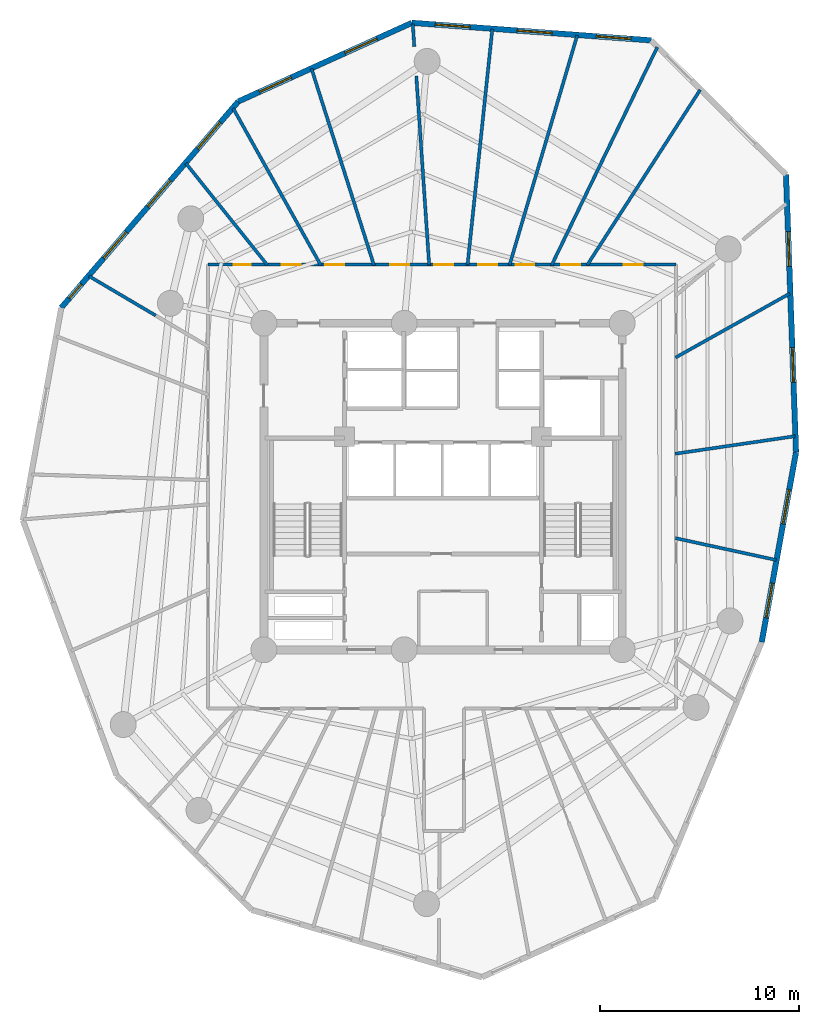
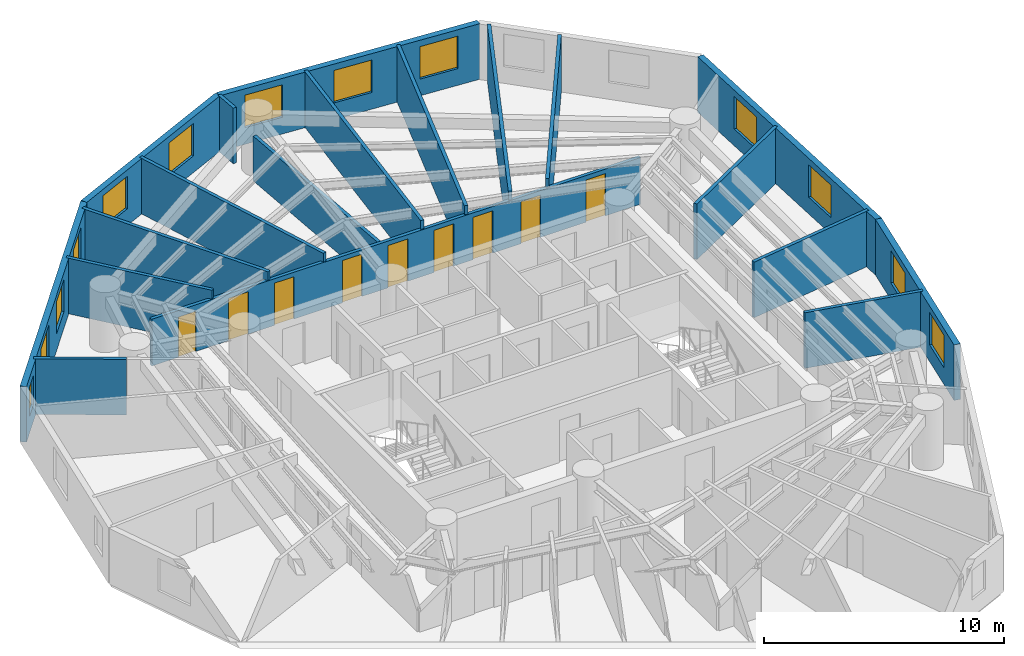
# One storey, part 6 of 8: 19 walls, 13 windows, 9 doors, 22 openings.
"""IFC4 building model written with IfcOpenShell, lengths in metres."""

from ifc_helpers import new_model, si_unit, direction, frame, frame_2d, origin, origin_with_axes, place, context, subcontext, project, spatial, rectangle, extrude, source, transform, mapped, material, layer, layer_set, type_object, element, fill, save


model = new_model("IFC4")

# Units and contexts
model_context = context("Model", 3, precision=1e-05, world=origin(), true_north=direction((0.0, 1.0)))
body_context = subcontext(model_context, "Body", "Model", "MODEL_VIEW")
ifc_project = project(units=[si_unit("LENGTHUNIT", "METRE"), si_unit("AREAUNIT", "SQUARE_METRE"), si_unit("VOLUMEUNIT", "CUBIC_METRE"), si_unit("PLANEANGLEUNIT", "RADIAN"), si_unit("MASSUNIT", "GRAM", prefix="KILO")], contexts=[model_context])

# Site, building, storey
site_placement = place(None, origin())
site = spatial("IfcSite", under=ifc_project, at=site_placement, CompositionType="ELEMENT")
building_placement = place(site_placement, origin())
building = spatial("IfcBuilding", under=site, at=building_placement, Name="Karkom Vertical University and Central Library", CompositionType="ELEMENT")
storey_placement = place(building_placement, frame((0.0, 0.0, 162.64990234375)))
storey = spatial("IfcBuildingStorey", under=building, at=storey_placement, Name="L46", CompositionType="ELEMENT", Elevation=162.64990234375)

# Wall, openings, windows
ifc_material_1 = material(Name="Brick-faced precast concrete C45/55", Category="masonry")
ifc_layer_1 = layer(ifc_material_1, 0.280029296875)
ifc_layer_set_1 = layer_set([ifc_layer_1], Name="Brick-faced precast concrete C45/55")
wall_type_1 = type_object("IfcWallType", Name="ENV-WL-BRK-280", PredefinedType="SOLIDWALL", material=ifc_layer_set_1)
wall_1_placement = place(storey_placement, frame((44.506591796875, 18.685302734375, 0.0), z_axis=(0.0, 0.0, 1.0), x_axis=(0.177789963773, 0.984068457365, 0.0)))
wall_1 = element("IfcWall", 1, at=wall_1_placement, inside=storey, type_object=wall_type_1, Name="Level 46 Brick-Faced Precast Facade Wall 07", PredefinedType="SOLIDWALL", context=body_context, shape_type="SweptSolid", body=[
    extrude(rectangle(XDim=9.689208984375, YDim=0.280029296875, at=frame_2d((4.8447265625, 0.0))), origin(), (0.0, 0.0, 1.0), 2.8251953125),
])
opening_1_placement = place(wall_1_placement, frame((1.248779296875, 0.0, 0.85009765625)))
opening_1 = element("IfcOpeningElement", 2, at=opening_1_placement, cuts=wall_1, Name="Opening WN-08", PredefinedType="OPENING", context=body_context, shape_type="SweptSolid", body=[
    extrude(rectangle(XDim=1.75, YDim=1.64990234375, at=frame_2d((0.875, 0.824951171875))), frame((0.0, 0.14990234375, 0.0), z_axis=(0.0, -1.0, 0.0), x_axis=(1.0, 0.0, 0.0)), (0.0, 0.0, 1.0), 0.300048828125),
])
opening_2_placement = place(wall_1_placement, frame((6.033447265625, 0.0, 0.85009765625)))
opening_2 = element("IfcOpeningElement", 3, at=opening_2_placement, cuts=wall_1, Name="Opening WN-08", PredefinedType="OPENING", context=body_context, shape_type="SweptSolid", body=[
    extrude(rectangle(XDim=1.75, YDim=1.64990234375, at=frame_2d((0.875, 0.824951171875))), frame((0.0, 0.14990234375, 0.0), z_axis=(0.0, -1.0, 0.0), x_axis=(1.0, 0.0, 0.0)), (0.0, 0.0, 1.0), 0.300048828125),
])
ifc_material_2 = material(Name="Aluminium thermal-break frame with solar-control IGU", Category="aluminium")
window_type_1 = type_object("IfcWindowType", Name="ENV-WIN-WN-08", PartitioningType="SINGLE_PANEL", PredefinedType="WINDOW", material=ifc_material_2)
shared_shape_1 = source(origin_with_axes(), body_context, "Body", "SweptSolid", [
    extrude(rectangle(XDim=1.75, YDim=1.64990234375, at=frame_2d((0.875, 0.824951171875))), frame((0.0, 0.030029296875, 0.0), z_axis=(0.0, -1.0, 0.0), x_axis=(1.0, 0.0, 0.0)), (0.0, 0.0, 1.0), 0.06005859375),
])
window_1_placement = place(opening_1_placement, origin())
window_1 = element("IfcWindow", 4, at=window_1_placement, inside=storey, type_object=window_type_1, Name="Level 46 Punched Window 7.1", OverallHeight=1.64990234375, OverallWidth=1.75, PartitioningType="SINGLE_PANEL", PredefinedType="WINDOW", context=body_context, shape_type="MappedRepresentation", body=[
    mapped(shared_shape_1, transform((0.0, 0.0, 0.0), scale=1.0)),
])
fill(opening_1, window_1)
window_2_placement = place(opening_2_placement, origin())
window_2 = element("IfcWindow", 5, at=window_2_placement, inside=storey, type_object=window_type_1, Name="Level 46 Punched Window 7.2", OverallHeight=1.64990234375, OverallWidth=1.75, PartitioningType="SINGLE_PANEL", PredefinedType="WINDOW", context=body_context, shape_type="MappedRepresentation", body=[
    mapped(shared_shape_1, transform((0.0, 0.0, 0.0), scale=1.0)),
])
fill(opening_2, window_2)

wall_2_placement = place(storey_placement, frame((46.229248046875, 28.22021484375, 0.0), z_axis=(0.0, 0.0, 1.0), x_axis=(-0.036027137179, 0.999350811971, 0.0)))
wall_2 = element("IfcWall", 6, at=wall_2_placement, inside=storey, type_object=wall_type_1, Name="Level 46 Brick-Faced Precast Facade Wall 08", PredefinedType="SOLIDWALL", context=body_context, shape_type="SweptSolid", body=[
    extrude(rectangle(XDim=13.959716796875, YDim=0.280029296875, at=frame_2d((6.97998046875, 0.0))), origin(), (0.0, 0.0, 1.0), 2.8251953125),
])
opening_3_placement = place(wall_2_placement, frame((3.50732421875, 0.0, 0.85009765625)))
opening_3 = element("IfcOpeningElement", 7, at=opening_3_placement, cuts=wall_2, Name="Opening WN-08", PredefinedType="OPENING", context=body_context, shape_type="SweptSolid", body=[
    extrude(rectangle(XDim=1.75, YDim=1.64990234375, at=frame_2d((0.875, 0.824951171875))), frame((0.0, 0.14990234375, 0.0), z_axis=(0.0, -1.0, 0.0), x_axis=(1.0, 0.0, 0.0)), (0.0, 0.0, 1.0), 0.300048828125),
])
opening_4_placement = place(wall_2_placement, frame((9.3388671875, 0.0, 0.85009765625)))
opening_4 = element("IfcOpeningElement", 8, at=opening_4_placement, cuts=wall_2, Name="Opening WN-08", PredefinedType="OPENING", context=body_context, shape_type="SweptSolid", body=[
    extrude(rectangle(XDim=1.75, YDim=1.64990234375, at=frame_2d((0.875, 0.824951171875))), frame((0.0, 0.14990234375, 0.0), z_axis=(0.0, -1.0, 0.0), x_axis=(1.0, 0.0, 0.0)), (0.0, 0.0, 1.0), 0.300048828125),
])
window_3_placement = place(opening_3_placement, origin())
window_3 = element("IfcWindow", 9, at=window_3_placement, inside=storey, type_object=window_type_1, Name="Level 46 Punched Window 8.1", OverallHeight=1.64990234375, OverallWidth=1.75, PartitioningType="SINGLE_PANEL", PredefinedType="WINDOW", context=body_context, shape_type="MappedRepresentation", body=[
    mapped(shared_shape_1, transform((0.0, 0.0, 0.0), scale=1.0)),
])
fill(opening_3, window_3)
window_4_placement = place(opening_4_placement, origin())
window_4 = element("IfcWindow", 10, at=window_4_placement, inside=storey, type_object=window_type_1, Name="Level 46 Punched Window 8.2", OverallHeight=1.64990234375, OverallWidth=1.75, PartitioningType="SINGLE_PANEL", PredefinedType="WINDOW", context=body_context, shape_type="MappedRepresentation", body=[
    mapped(shared_shape_1, transform((0.0, 0.0, 0.0), scale=1.0)),
])
fill(opening_4, window_4)

wall_3_placement = place(storey_placement, frame((38.955322265625, 48.908203125, 0.0), z_axis=(0.0, 0.0, 1.0), x_axis=(-0.997320223423, 0.07315990672, 0.0)))
wall_3 = element("IfcWall", 11, at=wall_3_placement, inside=storey, type_object=wall_type_1, Name="Level 46 Brick-Faced Precast Facade Wall 10", PredefinedType="SOLIDWALL", context=body_context, shape_type="SweptSolid", body=[
    extrude(rectangle(XDim=12.053466796875, YDim=0.280029296875, at=frame_2d((6.02685546875, 0.0))), origin(), (0.0, 0.0, 1.0), 2.8251953125),
])
opening_5_placement = place(wall_3_placement, frame((1.02197265625, 0.0, 0.85009765625)))
opening_5 = element("IfcOpeningElement", 12, at=opening_5_placement, cuts=wall_3, Name="Opening WN-08", PredefinedType="OPENING", context=body_context, shape_type="SweptSolid", body=[
    extrude(rectangle(XDim=1.75, YDim=1.64990234375, at=frame_2d((0.875, 0.824951171875))), frame((0.0, 0.14990234375, 0.0), z_axis=(0.0, -1.0, 0.0), x_axis=(1.0, 0.0, 0.0)), (0.0, 0.0, 1.0), 0.300048828125),
])
opening_6_placement = place(wall_3_placement, frame((4.993408203125, 0.0, 0.85009765625)))
opening_6 = element("IfcOpeningElement", 13, at=opening_6_placement, cuts=wall_3, Name="Opening WN-08", PredefinedType="OPENING", context=body_context, shape_type="SweptSolid", body=[
    extrude(rectangle(XDim=1.75, YDim=1.64990234375, at=frame_2d((0.875, 0.824951171875))), frame((0.0, 0.14990234375, 0.0), z_axis=(0.0, -1.0, 0.0), x_axis=(1.0, 0.0, 0.0)), (0.0, 0.0, 1.0), 0.300048828125),
])
opening_7_placement = place(wall_3_placement, frame((9.123291015625, 0.0, 0.85009765625)))
opening_7 = element("IfcOpeningElement", 14, at=opening_7_placement, cuts=wall_3, Name="Opening WN-08", PredefinedType="OPENING", context=body_context, shape_type="SweptSolid", body=[
    extrude(rectangle(XDim=1.75, YDim=1.64990234375, at=frame_2d((0.875, 0.824951171875))), frame((0.0, 0.14990234375, 0.0), z_axis=(0.0, -1.0, 0.0), x_axis=(1.0, 0.0, 0.0)), (0.0, 0.0, 1.0), 0.300048828125),
])
window_5_placement = place(opening_5_placement, origin())
window_5 = element("IfcWindow", 15, at=window_5_placement, inside=storey, type_object=window_type_1, Name="Level 46 Punched Window 10.1", OverallHeight=1.64990234375, OverallWidth=1.75, PartitioningType="SINGLE_PANEL", PredefinedType="WINDOW", context=body_context, shape_type="MappedRepresentation", body=[
    mapped(shared_shape_1, transform((0.0, 0.0, 0.0), scale=1.0)),
])
fill(opening_5, window_5)
window_6_placement = place(opening_6_placement, origin())
window_6 = element("IfcWindow", 16, at=window_6_placement, inside=storey, type_object=window_type_1, Name="Level 46 Punched Window 10.2", OverallHeight=1.64990234375, OverallWidth=1.75, PartitioningType="SINGLE_PANEL", PredefinedType="WINDOW", context=body_context, shape_type="MappedRepresentation", body=[
    mapped(shared_shape_1, transform((0.0, 0.0, 0.0), scale=1.0)),
])
fill(opening_6, window_6)
window_7_placement = place(opening_7_placement, origin())
window_7 = element("IfcWindow", 17, at=window_7_placement, inside=storey, type_object=window_type_1, Name="Level 46 Punched Window 10.3", OverallHeight=1.64990234375, OverallWidth=1.75, PartitioningType="SINGLE_PANEL", PredefinedType="WINDOW", context=body_context, shape_type="MappedRepresentation", body=[
    mapped(shared_shape_1, transform((0.0, 0.0, 0.0), scale=1.0)),
])
fill(opening_7, window_7)

wall_4_placement = place(storey_placement, frame((26.93408203125, 49.7900390625, 0.0), z_axis=(0.0, 0.0, 1.0), x_axis=(-0.910843657425, -0.412751537525, 0.0)))
wall_4 = element("IfcWall", 18, at=wall_4_placement, inside=storey, type_object=wall_type_1, Name="Level 46 Brick-Faced Precast Facade Wall 11", PredefinedType="SOLIDWALL", context=body_context, shape_type="SweptSolid", body=[
    extrude(rectangle(XDim=9.572265625, YDim=0.280029296875, at=frame_2d((4.7861328125, 0.0))), origin(), (0.0, 0.0, 1.0), 2.8251953125),
])
opening_8_placement = place(wall_4_placement, frame((1.928955078125, 0.0, 0.85009765625)))
opening_8 = element("IfcOpeningElement", 19, at=opening_8_placement, cuts=wall_4, Name="Opening WN-08", PredefinedType="OPENING", context=body_context, shape_type="SweptSolid", body=[
    extrude(rectangle(XDim=1.75, YDim=1.64990234375, at=frame_2d((0.875, 0.824951171875))), frame((0.0, 0.14990234375, 0.0), z_axis=(0.0, -1.0, 0.0), x_axis=(1.0, 0.0, 0.0)), (0.0, 0.0, 1.0), 0.300048828125),
])
opening_9_placement = place(wall_4_placement, frame((6.655029296875, 0.0, 0.85009765625)))
opening_9 = element("IfcOpeningElement", 20, at=opening_9_placement, cuts=wall_4, Name="Opening WN-08", PredefinedType="OPENING", context=body_context, shape_type="SweptSolid", body=[
    extrude(rectangle(XDim=1.75, YDim=1.64990234375, at=frame_2d((0.875, 0.824951171875))), frame((0.0, 0.14990234375, 0.0), z_axis=(0.0, -1.0, 0.0), x_axis=(1.0, 0.0, 0.0)), (0.0, 0.0, 1.0), 0.300048828125),
])
window_8_placement = place(opening_8_placement, origin())
window_8 = element("IfcWindow", 21, at=window_8_placement, inside=storey, type_object=window_type_1, Name="Level 46 Punched Window 11.1", OverallHeight=1.64990234375, OverallWidth=1.75, PartitioningType="SINGLE_PANEL", PredefinedType="WINDOW", context=body_context, shape_type="MappedRepresentation", body=[
    mapped(shared_shape_1, transform((0.0, 0.0, 0.0), scale=1.0)),
])
fill(opening_8, window_8)
window_9_placement = place(opening_9_placement, origin())
window_9 = element("IfcWindow", 22, at=window_9_placement, inside=storey, type_object=window_type_1, Name="Level 46 Punched Window 11.2", OverallHeight=1.64990234375, OverallWidth=1.75, PartitioningType="SINGLE_PANEL", PredefinedType="WINDOW", context=body_context, shape_type="MappedRepresentation", body=[
    mapped(shared_shape_1, transform((0.0, 0.0, 0.0), scale=1.0)),
])
fill(opening_9, window_9)

wall_5_placement = place(storey_placement, frame((18.21533203125, 45.839111328125, 0.0), z_axis=(0.0, 0.0, 1.0), x_axis=(-0.651462515178, -0.758680823085, 0.0)))
wall_5 = element("IfcWall", 23, at=wall_5_placement, inside=storey, type_object=wall_type_1, Name="Level 46 Brick-Faced Precast Facade Wall 12", PredefinedType="SOLIDWALL", context=body_context, shape_type="SweptSolid", body=[
    extrude(rectangle(XDim=13.655517578125, YDim=0.280029296875, at=frame_2d((6.82763671875, 0.0))), origin(), (0.0, 0.0, 1.0), 2.8251953125),
])
opening_10_placement = place(wall_5_placement, frame((1.384521484375, 0.0, 0.85009765625)))
opening_10 = element("IfcOpeningElement", 24, at=opening_10_placement, cuts=wall_5, Name="Opening WN-08", PredefinedType="OPENING", context=body_context, shape_type="SweptSolid", body=[
    extrude(rectangle(XDim=1.75, YDim=1.64990234375, at=frame_2d((0.875, 0.824951171875))), frame((0.0, 0.14990234375, 0.0), z_axis=(0.0, -1.0, 0.0), x_axis=(1.0, 0.0, 0.0)), (0.0, 0.0, 1.0), 0.300048828125),
])
opening_11_placement = place(wall_5_placement, frame((5.227294921875, 0.0, 0.85009765625)))
opening_11 = element("IfcOpeningElement", 25, at=opening_11_placement, cuts=wall_5, Name="Opening WN-08", PredefinedType="OPENING", context=body_context, shape_type="SweptSolid", body=[
    extrude(rectangle(XDim=1.75, YDim=1.64990234375, at=frame_2d((0.875, 0.824951171875))), frame((0.0, 0.14990234375, 0.0), z_axis=(0.0, -1.0, 0.0), x_axis=(1.0, 0.0, 0.0)), (0.0, 0.0, 1.0), 0.300048828125),
])
opening_12_placement = place(wall_5_placement, frame((8.63623046875, 0.0, 0.85009765625)))
opening_12 = element("IfcOpeningElement", 26, at=opening_12_placement, cuts=wall_5, Name="Opening WN-08", PredefinedType="OPENING", context=body_context, shape_type="SweptSolid", body=[
    extrude(rectangle(XDim=1.75, YDim=1.64990234375, at=frame_2d((0.875, 0.824951171875))), frame((0.0, 0.14990234375, 0.0), z_axis=(0.0, -1.0, 0.0), x_axis=(1.0, 0.0, 0.0)), (0.0, 0.0, 1.0), 0.300048828125),
])
opening_13_placement = place(wall_5_placement, frame((12.090576171875, 0.0, 0.85009765625)))
opening_13 = element("IfcOpeningElement", 27, at=opening_13_placement, cuts=wall_5, Name="Opening WN-12", PredefinedType="OPENING", context=body_context, shape_type="SweptSolid", body=[
    extrude(rectangle(XDim=0.949951171875, YDim=1.5, at=frame_2d((0.47509765625, 0.75))), frame((0.0, 0.14990234375, 0.0), z_axis=(0.0, -1.0, 0.0), x_axis=(1.0, 0.0, 0.0)), (0.0, 0.0, 1.0), 0.300048828125),
])
window_type_2 = type_object("IfcWindowType", Name="ENV-WIN-WN-12", PartitioningType="SINGLE_PANEL", PredefinedType="WINDOW", material=ifc_material_2)
shared_shape_2 = source(origin_with_axes(), body_context, "Body", "SweptSolid", [
    extrude(rectangle(XDim=0.949951171875, YDim=1.5, at=frame_2d((0.47509765625, 0.75))), frame((0.0, 0.030029296875, 0.0), z_axis=(0.0, -1.0, 0.0), x_axis=(1.0, 0.0, 0.0)), (0.0, 0.0, 1.0), 0.06005859375),
])
window_10_placement = place(opening_13_placement, origin())
window_10 = element("IfcWindow", 28, at=window_10_placement, inside=storey, type_object=window_type_2, Name="Level 46 Punched Window 12.4", OverallHeight=1.5, OverallWidth=0.949951171875, PartitioningType="SINGLE_PANEL", PredefinedType="WINDOW", context=body_context, shape_type="MappedRepresentation", body=[
    mapped(shared_shape_2, transform((0.0, 0.0, 0.0), scale=1.0)),
])
fill(opening_13, window_10)
window_11_placement = place(opening_10_placement, origin())
window_11 = element("IfcWindow", 29, at=window_11_placement, inside=storey, type_object=window_type_1, Name="Level 46 Punched Window 12.1", OverallHeight=1.64990234375, OverallWidth=1.75, PartitioningType="SINGLE_PANEL", PredefinedType="WINDOW", context=body_context, shape_type="MappedRepresentation", body=[
    mapped(shared_shape_1, transform((0.0, 0.0, 0.0), scale=1.0)),
])
fill(opening_10, window_11)
window_12_placement = place(opening_11_placement, origin())
window_12 = element("IfcWindow", 30, at=window_12_placement, inside=storey, type_object=window_type_1, Name="Level 46 Punched Window 12.2", OverallHeight=1.64990234375, OverallWidth=1.75, PartitioningType="SINGLE_PANEL", PredefinedType="WINDOW", context=body_context, shape_type="MappedRepresentation", body=[
    mapped(shared_shape_1, transform((0.0, 0.0, 0.0), scale=1.0)),
])
fill(opening_11, window_12)
window_13_placement = place(opening_12_placement, origin())
window_13 = element("IfcWindow", 31, at=window_13_placement, inside=storey, type_object=window_type_1, Name="Level 46 Punched Window 12.3", OverallHeight=1.64990234375, OverallWidth=1.75, PartitioningType="SINGLE_PANEL", PredefinedType="WINDOW", context=body_context, shape_type="MappedRepresentation", body=[
    mapped(shared_shape_1, transform((0.0, 0.0, 0.0), scale=1.0)),
])
fill(opening_12, window_13)

# Wall, openings, doors
ifc_material_3 = material(Name="Insulated metal-stud drywall 160mm", Category="gypsum")
ifc_layer_2 = layer(ifc_material_3, 0.159912109375)
ifc_layer_set_2 = layer_set([ifc_layer_2], Name="Insulated metal-stud drywall 160mm")
wall_type_2 = type_object("IfcWallType", Name="INT-WL-COR-160", PredefinedType="PARTITIONING", material=ifc_layer_set_2)
wall_6_placement = place(storey_placement, frame((16.699951171875, 37.64990234375, 0.0), z_axis=(0.0, 0.0, 1.0), x_axis=(1.0, 0.0, 0.0)))
wall_6 = element("IfcWall", 32, at=wall_6_placement, inside=storey, type_object=wall_type_2, Name="Level 46 Interior Partition Wall L46-CORW-CW-003", PredefinedType="PARTITIONING", context=body_context, shape_type="SweptSolid", body=[
    extrude(rectangle(XDim=23.5, YDim=0.159912109375, at=frame_2d((11.75, 0.0))), origin(), (0.0, 0.0, 1.0), 2.375),
])
opening_14_placement = place(wall_6_placement, frame((20.8701171875, 0.0, 0.0)))
opening_14 = element("IfcOpeningElement", 33, at=opening_14_placement, cuts=wall_6, Name="Opening D-RM1", PredefinedType="OPENING", context=body_context, shape_type="SweptSolid", body=[
    extrude(rectangle(XDim=0.949951171875, YDim=2.14990234375, at=frame_2d((0.47509765625, 1.074951171875))), frame((0.0, 0.08984375, 0.0), z_axis=(0.0, -1.0, 0.0), x_axis=(1.0, 0.0, 0.0)), (0.0, 0.0, 1.0), 0.179931640625),
])
opening_15_placement = place(wall_6_placement, frame((17.739990234375, 0.0, 0.0)))
opening_15 = element("IfcOpeningElement", 34, at=opening_15_placement, cuts=wall_6, Name="Opening D-RM1", PredefinedType="OPENING", context=body_context, shape_type="SweptSolid", body=[
    extrude(rectangle(XDim=0.949951171875, YDim=2.14990234375, at=frame_2d((0.47509765625, 1.074951171875))), frame((0.0, 0.08984375, 0.0), z_axis=(0.0, -1.0, 0.0), x_axis=(1.0, 0.0, 0.0)), (0.0, 0.0, 1.0), 0.179931640625),
])
opening_16_placement = place(wall_6_placement, frame((15.43994140625, 0.0, 0.0)))
opening_16 = element("IfcOpeningElement", 35, at=opening_16_placement, cuts=wall_6, Name="Opening D-RM1", PredefinedType="OPENING", context=body_context, shape_type="SweptSolid", body=[
    extrude(rectangle(XDim=0.949951171875, YDim=2.14990234375, at=frame_2d((0.47509765625, 1.074951171875))), frame((0.0, 0.08984375, 0.0), z_axis=(0.0, -1.0, 0.0), x_axis=(1.0, 0.0, 0.0)), (0.0, 0.0, 1.0), 0.179931640625),
])
opening_17_placement = place(wall_6_placement, frame((13.568115234375, 0.0, 0.0)))
opening_17 = element("IfcOpeningElement", 36, at=opening_17_placement, cuts=wall_6, Name="Opening D-RM1", PredefinedType="OPENING", context=body_context, shape_type="SweptSolid", body=[
    extrude(rectangle(XDim=0.949951171875, YDim=2.14990234375, at=frame_2d((0.47509765625, 1.074951171875))), frame((0.0, 0.08984375, 0.0), z_axis=(0.0, -1.0, 0.0), x_axis=(1.0, 0.0, 0.0)), (0.0, 0.0, 1.0), 0.179931640625),
])
opening_18_placement = place(wall_6_placement, frame((11.364990234375, 0.0, 0.0)))
opening_18 = element("IfcOpeningElement", 37, at=opening_18_placement, cuts=wall_6, Name="Opening D-RM1", PredefinedType="OPENING", context=body_context, shape_type="SweptSolid", body=[
    extrude(rectangle(XDim=0.949951171875, YDim=2.14990234375, at=frame_2d((0.47509765625, 1.074951171875))), frame((0.0, 0.08984375, 0.0), z_axis=(0.0, -1.0, 0.0), x_axis=(1.0, 0.0, 0.0)), (0.0, 0.0, 1.0), 0.179931640625),
])
opening_19_placement = place(wall_6_placement, frame((9.159423828125, 0.0, 0.0)))
opening_19 = element("IfcOpeningElement", 38, at=opening_19_placement, cuts=wall_6, Name="Opening D-RM1", PredefinedType="OPENING", context=body_context, shape_type="SweptSolid", body=[
    extrude(rectangle(XDim=0.949951171875, YDim=2.14990234375, at=frame_2d((0.47509765625, 1.074951171875))), frame((0.0, 0.08984375, 0.0), z_axis=(0.0, -1.0, 0.0), x_axis=(1.0, 0.0, 0.0)), (0.0, 0.0, 1.0), 0.179931640625),
])
opening_20_placement = place(wall_6_placement, frame((5.889892578125, 0.0, 0.0)))
opening_20 = element("IfcOpeningElement", 39, at=opening_20_placement, cuts=wall_6, Name="Opening D-RM1", PredefinedType="OPENING", context=body_context, shape_type="SweptSolid", body=[
    extrude(rectangle(XDim=0.949951171875, YDim=2.14990234375, at=frame_2d((0.47509765625, 1.074951171875))), frame((0.0, 0.08984375, 0.0), z_axis=(0.0, -1.0, 0.0), x_axis=(1.0, 0.0, 0.0)), (0.0, 0.0, 1.0), 0.179931640625),
])
opening_21_placement = place(wall_6_placement, frame((3.697998046875, 0.0, 0.0)))
opening_21 = element("IfcOpeningElement", 40, at=opening_21_placement, cuts=wall_6, Name="Opening D-RM1", PredefinedType="OPENING", context=body_context, shape_type="SweptSolid", body=[
    extrude(rectangle(XDim=0.949951171875, YDim=2.14990234375, at=frame_2d((0.47509765625, 1.074951171875))), frame((0.0, 0.08984375, 0.0), z_axis=(0.0, -1.0, 0.0), x_axis=(1.0, 0.0, 0.0)), (0.0, 0.0, 1.0), 0.179931640625),
])
opening_22_placement = place(wall_6_placement, frame((1.276611328125, 0.0, 0.0)))
opening_22 = element("IfcOpeningElement", 41, at=opening_22_placement, cuts=wall_6, Name="Opening FD-BTH2", PredefinedType="OPENING", context=body_context, shape_type="SweptSolid", body=[
    extrude(rectangle(XDim=0.860107421875, YDim=2.0400390625, at=frame_2d((0.43017578125, 1.02001953125))), frame((0.0, 0.08984375, 0.0), z_axis=(0.0, -1.0, 0.0), x_axis=(1.0, 0.0, 0.0)), (0.0, 0.0, 1.0), 0.179931640625),
])
ifc_material_4 = material(Name="Fire-rated moisture-resistant oak door", Category="wood")
door_type_1 = type_object("IfcDoorType", Name="INT-DR-FBTH2", OperationType="NOTDEFINED", PredefinedType="DOOR", material=ifc_material_4)
shared_shape_3 = source(origin_with_axes(), body_context, "Body", "SweptSolid", [
    extrude(rectangle(XDim=0.860107421875, YDim=2.0400390625, at=frame_2d((0.43017578125, 1.02001953125))), frame((0.0, 0.02490234375, 0.0), z_axis=(0.0, -1.0, 0.0), x_axis=(1.0, 0.0, 0.0)), (0.0, 0.0, 1.0), 0.050048828125),
])
door_1_placement = place(opening_22_placement, origin())
door_1 = element("IfcDoor", 42, at=door_1_placement, inside=storey, type_object=door_type_1, Name="Level 46 Campus Student Health Counseling Clinic Entry Door", OperationType="SINGLE_SWING_LEFT", OverallHeight=2.0400390625, OverallWidth=0.860107421875, PredefinedType="DOOR", context=body_context, shape_type="MappedRepresentation", body=[
    mapped(shared_shape_3, transform((0.0, 0.0, 0.0), scale=1.0)),
])
fill(opening_22, door_1)
ifc_material_5 = material(Name="Solid-core oak veneer door", Category="wood")
door_type_2 = type_object("IfcDoorType", Name="INT-DR-RM1", OperationType="NOTDEFINED", PredefinedType="DOOR", material=ifc_material_5)
shared_shape_4 = source(origin_with_axes(), body_context, "Body", "SweptSolid", [
    extrude(rectangle(XDim=0.949951171875, YDim=2.14990234375, at=frame_2d((0.47509765625, 1.074951171875))), frame((0.0, 0.02490234375, 0.0), z_axis=(0.0, -1.0, 0.0), x_axis=(1.0, 0.0, 0.0)), (0.0, 0.0, 1.0), 0.050048828125),
])
door_2_placement = place(opening_14_placement, origin())
door_2 = element("IfcDoor", 43, at=door_2_placement, inside=storey, type_object=door_type_2, Name="Level 46 Room Entry Door 170", OperationType="SINGLE_SWING_LEFT", OverallHeight=2.14990234375, OverallWidth=0.949951171875, PredefinedType="DOOR", context=body_context, shape_type="MappedRepresentation", body=[
    mapped(shared_shape_4, transform((0.0, 0.0, 0.0), scale=1.0)),
])
fill(opening_14, door_2)
door_3_placement = place(opening_15_placement, origin())
door_3 = element("IfcDoor", 44, at=door_3_placement, inside=storey, type_object=door_type_2, Name="Level 46 Room Entry Door 180", OperationType="SINGLE_SWING_RIGHT", OverallHeight=2.14990234375, OverallWidth=0.949951171875, PredefinedType="DOOR", context=body_context, shape_type="MappedRepresentation", body=[
    mapped(shared_shape_4, transform((0.0, 0.0, 0.0), scale=1.0)),
])
fill(opening_15, door_3)
door_4_placement = place(opening_16_placement, origin())
door_4 = element("IfcDoor", 45, at=door_4_placement, inside=storey, type_object=door_type_2, Name="Level 46 Room Entry Door 190", OperationType="SINGLE_SWING_LEFT", OverallHeight=2.14990234375, OverallWidth=0.949951171875, PredefinedType="DOOR", context=body_context, shape_type="MappedRepresentation", body=[
    mapped(shared_shape_4, transform((0.0, 0.0, 0.0), scale=1.0)),
])
fill(opening_16, door_4)
door_5_placement = place(opening_17_placement, origin())
door_5 = element("IfcDoor", 46, at=door_5_placement, inside=storey, type_object=door_type_2, Name="Level 46 Room Entry Door 200", OperationType="SINGLE_SWING_RIGHT", OverallHeight=2.14990234375, OverallWidth=0.949951171875, PredefinedType="DOOR", context=body_context, shape_type="MappedRepresentation", body=[
    mapped(shared_shape_4, transform((0.0, 0.0, 0.0), scale=1.0)),
])
fill(opening_17, door_5)
door_6_placement = place(opening_18_placement, origin())
door_6 = element("IfcDoor", 47, at=door_6_placement, inside=storey, type_object=door_type_2, Name="Level 46 Room Entry Door 210", OperationType="SINGLE_SWING_LEFT", OverallHeight=2.14990234375, OverallWidth=0.949951171875, PredefinedType="DOOR", context=body_context, shape_type="MappedRepresentation", body=[
    mapped(shared_shape_4, transform((0.0, 0.0, 0.0), scale=1.0)),
])
fill(opening_18, door_6)
door_7_placement = place(opening_19_placement, origin())
door_7 = element("IfcDoor", 48, at=door_7_placement, inside=storey, type_object=door_type_2, Name="Level 46 Room Entry Door 220", OperationType="SINGLE_SWING_RIGHT", OverallHeight=2.14990234375, OverallWidth=0.949951171875, PredefinedType="DOOR", context=body_context, shape_type="MappedRepresentation", body=[
    mapped(shared_shape_4, transform((0.0, 0.0, 0.0), scale=1.0)),
])
fill(opening_19, door_7)
door_8_placement = place(opening_20_placement, origin())
door_8 = element("IfcDoor", 49, at=door_8_placement, inside=storey, type_object=door_type_2, Name="Level 46 Room Entry Door 230", OperationType="SINGLE_SWING_LEFT", OverallHeight=2.14990234375, OverallWidth=0.949951171875, PredefinedType="DOOR", context=body_context, shape_type="MappedRepresentation", body=[
    mapped(shared_shape_4, transform((0.0, 0.0, 0.0), scale=1.0)),
])
fill(opening_20, door_8)
door_9_placement = place(opening_21_placement, origin())
door_9 = element("IfcDoor", 50, at=door_9_placement, inside=storey, type_object=door_type_2, Name="Level 46 Room Entry Door 240", OperationType="SINGLE_SWING_RIGHT", OverallHeight=2.14990234375, OverallWidth=0.949951171875, PredefinedType="DOOR", context=body_context, shape_type="MappedRepresentation", body=[
    mapped(shared_shape_4, transform((0.0, 0.0, 0.0), scale=1.0)),
])
fill(opening_21, door_9)

# Walls
wall_7_placement = place(storey_placement, frame((33.9501953125, 37.609619140625, 0.0), z_axis=(0.0, 0.0, 1.0), x_axis=(0.436077675218, 0.899909029389, 0.0)))
element("IfcWall", 51, at=wall_7_placement, inside=storey, type_object=wall_type_2, Name="Level 46 Interior Partition Wall L46-PW-022", PredefinedType="PARTITIONING", context=body_context, shape_type="SweptSolid", body=[
    extrude(rectangle(XDim=12.174560546875, YDim=0.159912109375, at=frame_2d((6.08740234375, 0.0))), origin(), (0.0, 0.0, 1.0), 2.8251953125),
])
wall_8_placement = place(storey_placement, frame((31.839111328125, 37.62109375, 0.0), z_axis=(0.0, 0.0, 1.0), x_axis=(0.282612627523, 0.959234123019, 0.0)))
element("IfcWall", 52, at=wall_8_placement, inside=storey, type_object=wall_type_2, Name="Level 46 Interior Partition Wall L46-PW-023", PredefinedType="PARTITIONING", context=body_context, shape_type="SweptSolid", body=[
    extrude(rectangle(XDim=12.0234375, YDim=0.159912109375, at=frame_2d((6.01171875, 0.0))), origin(), (0.0, 0.0, 1.0), 2.8251953125),
])
wall_9_placement = place(storey_placement, frame((29.728515625, 37.6201171875, 0.0), z_axis=(0.0, 0.0, 1.0), x_axis=(0.104491703071, 0.994525758334, 0.0)))
element("IfcWall", 53, at=wall_9_placement, inside=storey, type_object=wall_type_2, Name="Level 46 Interior Partition Wall L46-PW-024", PredefinedType="PARTITIONING", context=body_context, shape_type="SweptSolid", body=[
    extrude(rectangle(XDim=11.91357421875, YDim=0.159912109375, at=frame_2d((5.956787109375, 0.0))), origin(), (0.0, 0.0, 1.0), 2.8251953125),
])
wall_10_placement = place(storey_placement, frame((35.7421875, 37.624755859375, 0.0), z_axis=(0.0, 0.0, 1.0), x_axis=(0.541788474869, 0.840514871076, 0.0)))
element("IfcWall", 54, at=wall_10_placement, inside=storey, type_object=wall_type_2, Name="Level 46 Interior Partition Wall L46-PW-021", PredefinedType="PARTITIONING", context=body_context, shape_type="SweptSolid", body=[
    extrude(rectangle(XDim=10.46923828125, YDim=0.159912109375, at=frame_2d((5.234619140625, 0.0))), origin(), (0.0, 0.0, 1.0), 2.8251953125),
])
wall_11_placement = place(storey_placement, frame((25.03271484375, 37.607177734375, 0.0), z_axis=(0.0, 0.0, 1.0), x_axis=(-0.302917623472, 0.953016743499, 0.0)))
element("IfcWall", 55, at=wall_11_placement, inside=storey, type_object=wall_type_2, Name="Level 46 Interior Partition Wall L46-PW-027", PredefinedType="PARTITIONING", context=body_context, shape_type="SweptSolid", body=[
    extrude(rectangle(XDim=10.358154296875, YDim=0.159912109375, at=frame_2d((5.17919921875, 0.0))), origin(), (0.0, 0.0, 1.0), 2.8251953125),
])
wall_12_placement = place(storey_placement, frame((27.802978515625, 37.6201171875, 0.0), z_axis=(0.0, 0.0, 1.0), x_axis=(-0.067965244052, 0.99768768941, 0.0)))
element("IfcWall", 56, at=wall_12_placement, inside=storey, type_object=wall_type_2, Name="Level 46 Interior Partition Wall L46-PW-025", PredefinedType="PARTITIONING", context=body_context, shape_type="SweptSolid", body=[
    extrude(rectangle(XDim=9.511962890625, YDim=0.159912109375, at=frame_2d((4.755859375, 0.0))), origin(), (0.0, 0.0, 1.0), 2.275146484375),
])
wall_13_placement = place(storey_placement, frame((22.362060546875, 37.610595703125, 0.0), z_axis=(0.0, 0.0, 1.0), x_axis=(-0.487695929891, 0.873013562305, 0.0)))
element("IfcWall", 57, at=wall_13_placement, inside=storey, type_object=wall_type_2, Name="Level 46 Interior Partition Wall L46-PW-028", PredefinedType="PARTITIONING", context=body_context, shape_type="SweptSolid", body=[
    extrude(rectangle(XDim=9.03076171875, YDim=0.159912109375, at=frame_2d((4.515380859375, 0.0))), origin(), (0.0, 0.0, 1.0), 2.8251953125),
])
wall_14_placement = place(storey_placement, frame((40.173828125, 32.9755859375, 0.0), z_axis=(0.0, 0.0, 1.0), x_axis=(0.872278632977, 0.489009188514, 0.0)))
element("IfcWall", 58, at=wall_14_placement, inside=storey, type_object=wall_type_2, Name="Level 46 Interior Partition Wall L46-PW-018", PredefinedType="PARTITIONING", context=body_context, shape_type="SweptSolid", body=[
    extrude(rectangle(XDim=6.57568359375, YDim=0.159912109375, at=frame_2d((3.287841796875, 0.0))), origin(), (0.0, 0.0, 1.0), 2.8251953125),
])
wall_15_placement = place(storey_placement, frame((19.6708984375, 37.626708984375, 0.0), z_axis=(0.0, 0.0, 1.0), x_axis=(-0.624931699551, 0.78067942902, 0.0)))
element("IfcWall", 59, at=wall_15_placement, inside=storey, type_object=wall_type_2, Name="Level 46 Interior Partition Wall L46-PW-030", PredefinedType="PARTITIONING", context=body_context, shape_type="SweptSolid", body=[
    extrude(rectangle(XDim=6.541259765625, YDim=0.159912109375, at=frame_2d((3.2705078125, 0.0))), origin(), (0.0, 0.0, 1.0), 2.8251953125),
])
wall_16_placement = place(storey_placement, frame((40.155517578125, 28.145263671875, 0.0), z_axis=(0.0, 0.0, 1.0), x_axis=(0.989455594064, 0.144836554004, 0.0)))
element("IfcWall", 60, at=wall_16_placement, inside=storey, type_object=wall_type_2, Name="Level 46 Interior Partition Wall L46-PW-017", PredefinedType="PARTITIONING", context=body_context, shape_type="SweptSolid", body=[
    extrude(rectangle(XDim=6.08349609375, YDim=0.159912109375, at=frame_2d((3.041748046875, 0.0))), origin(), (0.0, 0.0, 1.0), 2.8251953125),
])
wall_17_placement = place(storey_placement, frame((40.170654296875, 23.90625, 0.0), z_axis=(0.0, 0.0, 1.0), x_axis=(0.977261895477, -0.212035816901, 0.0)))
element("IfcWall", 61, at=wall_17_placement, inside=storey, type_object=wall_type_2, Name="Level 46 Interior Partition Wall L46-PW-016", PredefinedType="PARTITIONING", context=body_context, shape_type="SweptSolid", body=[
    extrude(rectangle(XDim=5.17333984375, YDim=0.159912109375, at=frame_2d((2.586669921875, 0.0))), origin(), (0.0, 0.0, 1.0), 2.8251953125),
])
wall_18_placement = place(storey_placement, frame((14.06494140625, 35.089111328125, 0.0), z_axis=(0.0, 0.0, 1.0), x_axis=(-0.861187639937, 0.508287171607, 0.0)))
element("IfcWall", 62, at=wall_18_placement, inside=storey, type_object=wall_type_2, Name="Level 46 Interior Partition Wall L46-PW-032", PredefinedType="PARTITIONING", context=body_context, shape_type="SweptSolid", body=[
    extrude(rectangle(XDim=3.888671875, YDim=0.159912109375, at=frame_2d((1.9443359375, 0.0))), origin(), (0.0, 0.0, 1.0), 2.8251953125),
])
wall_19_placement = place(storey_placement, frame((27.055908203125, 48.590087890625, 0.0), z_axis=(0.0, 0.0, 1.0), x_axis=(-0.067955994258, 0.997688319489, 0.0)))
element("IfcWall", 63, at=wall_19_placement, inside=storey, type_object=wall_type_2, Name="Level 46 Interior Partition Wall L46-PW-026", PredefinedType="PARTITIONING", context=body_context, shape_type="SweptSolid", body=[
    extrude(rectangle(XDim=1.138916015625, YDim=0.159912109375, at=frame_2d((0.5693359375, 0.0))), origin(), (0.0, 0.0, 1.0), 2.8251953125),
])

save(model, "model.ifc")
